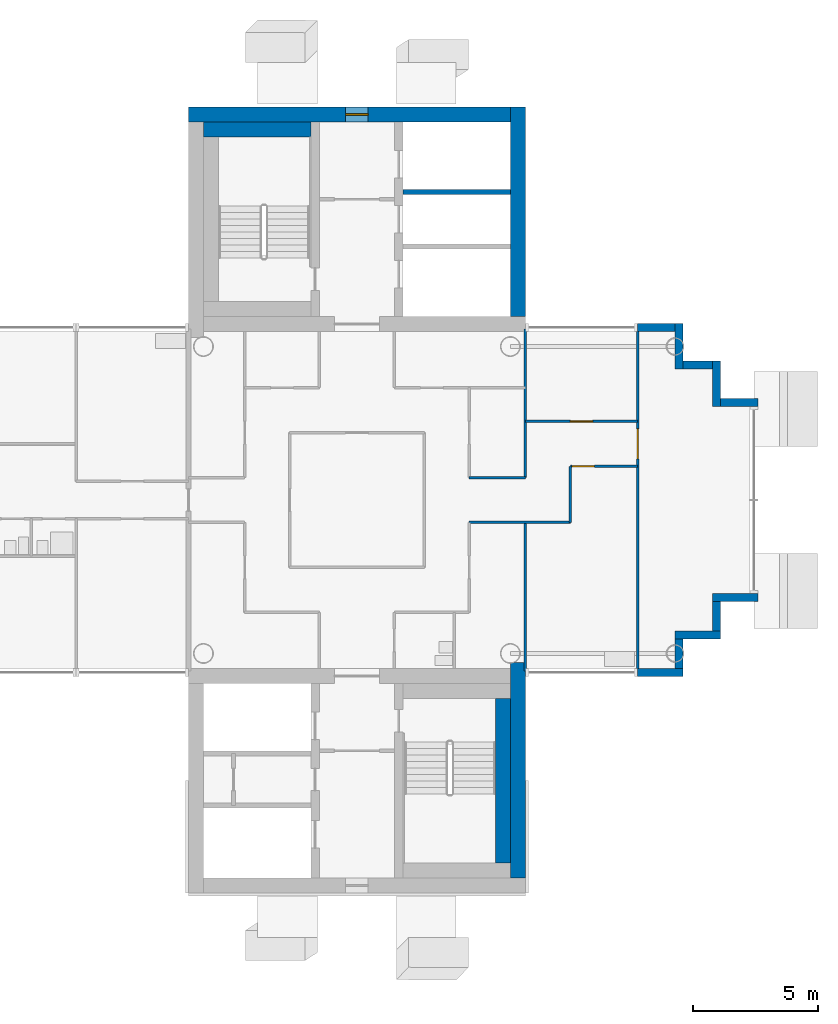
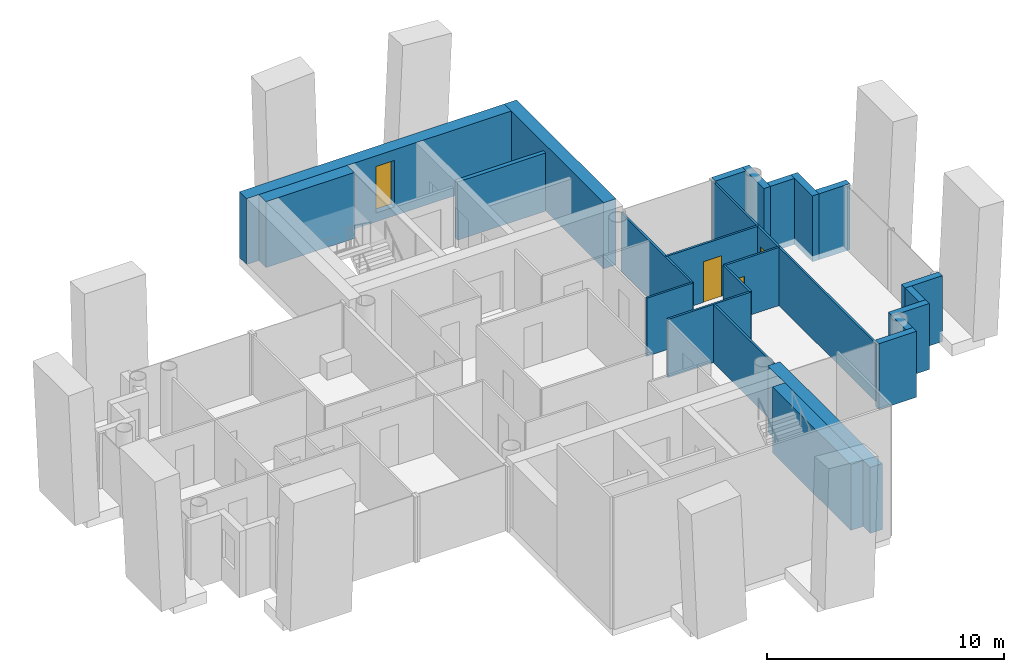
# One storey, part 11 of 18: 24 walls, 3 doors, 1 window, 4 openings.
"""IFC4 building model written with IfcOpenShell, lengths in metres."""

from ifc_helpers import new_model, si_unit, direction, frame, frame_2d, origin, place, context, subcontext, project, spatial, rectangle, extrude, material, layer, layer_set, type_object, element, fill, save


model = new_model("IFC4")

# Units and contexts
model_context = context("Model", 3, precision=1e-05, world=origin(), true_north=direction((0.0, 1.0)))
body_context = subcontext(model_context, "Body", "Model", "MODEL_VIEW")
ifc_project = project(units=[si_unit("LENGTHUNIT", "METRE"), si_unit("AREAUNIT", "SQUARE_METRE"), si_unit("VOLUMEUNIT", "CUBIC_METRE"), si_unit("PLANEANGLEUNIT", "RADIAN"), si_unit("MASSUNIT", "GRAM", prefix="KILO")], contexts=[model_context])

# Site, building, storey
site_placement = place(None, origin())
site = spatial("IfcSite", under=ifc_project, at=site_placement, CompositionType="ELEMENT")
building_placement = place(site_placement, origin())
building = spatial("IfcBuilding", under=site, at=building_placement, Name="Ipe Terrace Towers", CompositionType="ELEMENT")
storey_placement = place(building_placement, frame((0.0, 0.0, 223.199951171875)))
storey = spatial("IfcBuildingStorey", under=building, at=storey_placement, Name="L62", CompositionType="ELEMENT", Elevation=223.199951171875)

# Walls
ifc_material_1 = material(Name="Concrete C40/50 with buff precast cladding", Category="concrete")
ifc_layer_1 = layer(ifc_material_1, 0.320068359375)
ifc_layer_set_1 = layer_set([ifc_layer_1], Name="BUFF CLADDING WALL 320")
wall_type_1 = type_object("IfcWallType", Name="BUFF CLADDING WALL 320", PredefinedType="STANDARD", material=ifc_layer_set_1)
wall_1_placement = place(storey_placement, frame((47.25, -6.909912109375, -0.300048828125), z_axis=(0.0, 0.0, 1.0), x_axis=(1.0, 0.0, 0.0)))
element("IfcWall", 1, at=wall_1_placement, inside=storey, type_object=wall_type_1, Name="T2-W-L62-03a wall", PredefinedType="STANDARD", context=body_context, shape_type="SweptSolid", body=[
    extrude(rectangle(XDim=1.820068359375, YDim=0.320068359375, at=frame_2d((0.91015625, 0.0))), origin(), (0.0, 0.0, 1.0), 3.400146484375),
])
wall_2_placement = place(storey_placement, frame((48.909912109375, -6.75, -0.300048828125), z_axis=(0.0, 0.0, 1.0), x_axis=(0.0, 1.0, 0.0)))
element("IfcWall", 2, at=wall_2_placement, inside=storey, type_object=wall_type_1, Name="T2-W-L62-04a wall", PredefinedType="STANDARD", context=body_context, shape_type="SweptSolid", body=[
    extrude(rectangle(XDim=1.179931640625, YDim=0.320068359375, at=frame_2d((0.58984375, 0.0))), origin(), (0.0, 0.0, 1.0), 3.400146484375),
])
wall_3_placement = place(storey_placement, frame((48.75, -5.409912109375, -0.300048828125), z_axis=(0.0, 0.0, 1.0), x_axis=(1.0, 0.0, 0.0)))
element("IfcWall", 3, at=wall_3_placement, inside=storey, type_object=wall_type_1, Name="T2-W-L62-05a wall", PredefinedType="STANDARD", context=body_context, shape_type="SweptSolid", body=[
    extrude(rectangle(XDim=1.820068359375, YDim=0.320068359375, at=frame_2d((0.91015625, 0.0))), origin(), (0.0, 0.0, 1.0), 3.400146484375),
])
wall_4_placement = place(storey_placement, frame((50.409912109375, -5.25, -0.300048828125), z_axis=(0.0, 0.0, 1.0), x_axis=(0.0, 1.0, 0.0)))
element("IfcWall", 4, at=wall_4_placement, inside=storey, type_object=wall_type_1, Name="T2-W-L62-06a wall", PredefinedType="STANDARD", context=body_context, shape_type="SweptSolid", body=[
    extrude(rectangle(XDim=1.179931640625, YDim=0.320068359375, at=frame_2d((0.58984375, 0.0))), origin(), (0.0, 0.0, 1.0), 3.400146484375),
])
wall_5_placement = place(storey_placement, frame((50.25, -3.909912109375, -0.300048828125), z_axis=(0.0, 0.0, 1.0), x_axis=(1.0, 0.0, 0.0)))
element("IfcWall", 5, at=wall_5_placement, inside=storey, type_object=wall_type_1, Name="T2-W-L62-07a wall", PredefinedType="STANDARD", context=body_context, shape_type="SweptSolid", body=[
    extrude(rectangle(XDim=1.820068359375, YDim=0.320068359375, at=frame_2d((0.91015625, 0.0))), origin(), (0.0, 0.0, 1.0), 3.400146484375),
])
wall_6_placement = place(storey_placement, frame((52.070068359375, 3.909912109375, -0.300048828125), z_axis=(0.0, 0.0, 1.0), x_axis=(-1.0, 0.0, 0.0)))
element("IfcWall", 6, at=wall_6_placement, inside=storey, type_object=wall_type_1, Name="T2-W-L62-09a wall", PredefinedType="STANDARD", context=body_context, shape_type="SweptSolid", body=[
    extrude(rectangle(XDim=1.5, YDim=0.320068359375, at=frame_2d((0.75, 0.0))), origin(), (0.0, 0.0, 1.0), 3.400146484375),
])
wall_7_placement = place(storey_placement, frame((50.409912109375, 3.75, -0.300048828125), z_axis=(0.0, 0.0, 1.0), x_axis=(0.0, 1.0, 0.0)))
element("IfcWall", 7, at=wall_7_placement, inside=storey, type_object=wall_type_1, Name="T2-W-L62-10a wall", PredefinedType="STANDARD", context=body_context, shape_type="SweptSolid", body=[
    extrude(rectangle(XDim=1.820068359375, YDim=0.320068359375, at=frame_2d((0.91015625, 0.0))), origin(), (0.0, 0.0, 1.0), 3.400146484375),
])
wall_8_placement = place(storey_placement, frame((50.25, 5.409912109375, -0.300048828125), z_axis=(0.0, 0.0, 1.0), x_axis=(-1.0, 0.0, 0.0)))
element("IfcWall", 8, at=wall_8_placement, inside=storey, type_object=wall_type_1, Name="T2-W-L62-11a wall", PredefinedType="STANDARD", context=body_context, shape_type="SweptSolid", body=[
    extrude(rectangle(XDim=1.179931640625, YDim=0.320068359375, at=frame_2d((0.58984375, 0.0))), origin(), (0.0, 0.0, 1.0), 3.400146484375),
])
wall_9_placement = place(storey_placement, frame((48.909912109375, 5.25, -0.300048828125), z_axis=(0.0, 0.0, 1.0), x_axis=(0.0, 1.0, 0.0)))
element("IfcWall", 9, at=wall_9_placement, inside=storey, type_object=wall_type_1, Name="T2-W-L62-12a wall", PredefinedType="STANDARD", context=body_context, shape_type="SweptSolid", body=[
    extrude(rectangle(XDim=1.820068359375, YDim=0.320068359375, at=frame_2d((0.91015625, 0.0))), origin(), (0.0, 0.0, 1.0), 3.400146484375),
])
wall_10_placement = place(storey_placement, frame((48.75, 6.909912109375, -0.300048828125), z_axis=(0.0, 0.0, 1.0), x_axis=(-1.0, 0.0, 0.0)))
element("IfcWall", 10, at=wall_10_placement, inside=storey, type_object=wall_type_1, Name="T2-W-L62-13a wall", PredefinedType="STANDARD", context=body_context, shape_type="SweptSolid", body=[
    extrude(rectangle(XDim=1.5, YDim=0.320068359375, at=frame_2d((0.75, 0.0))), origin(), (0.0, 0.0, 1.0), 3.400146484375),
])
ifc_material_2 = material(Name="Gypsum board partition", Category="plasterboard")
ifc_layer_2 = layer(ifc_material_2, 0.10009765625)
ifc_layer_set_2 = layer_set([ifc_layer_2], Name="Gypsum board partition 100 mm")
wall_type_2 = type_object("IfcWallType", Name="Gypsum board partition 100 mm", PredefinedType="PARTITIONING", material=ifc_layer_set_2)
wall_11_placement = place(storey_placement, frame((44.550048828125, -0.89990234375, 0.0), z_axis=(0.0, 0.0, 1.0), x_axis=(-1.0, 0.0, 0.0)))
element("IfcWall", 11, at=wall_11_placement, inside=storey, type_object=wall_type_2, Name="Gypsum board partition T2 L62 W05", PredefinedType="PARTITIONING", context=body_context, shape_type="SweptSolid", body=[
    extrude(rectangle(XDim=4.050048828125, YDim=0.10009765625, at=frame_2d((2.02490234375, 0.0))), origin(), (0.0, 0.0, 1.0), 3.0),
])
wall_12_placement = place(storey_placement, frame((42.75, 0.89990234375, 0.0), z_axis=(0.0, 0.0, 1.0), x_axis=(-1.0, 0.0, 0.0)))
element("IfcWall", 12, at=wall_12_placement, inside=storey, type_object=wall_type_2, Name="Gypsum board partition T2 L62 W09", PredefinedType="PARTITIONING", context=body_context, shape_type="SweptSolid", body=[
    extrude(rectangle(XDim=2.25, YDim=0.10009765625, at=frame_2d((1.125, 0.0))), origin(), (0.0, 0.0, 1.0), 3.0),
])

# Wall, opening, door
wall_13_placement = place(storey_placement, frame((47.25, 1.35009765625, 0.0), z_axis=(0.0, 0.0, 1.0), x_axis=(-1.0, 0.0, 0.0)))
wall_13 = element("IfcWall", 13, at=wall_13_placement, inside=storey, type_object=wall_type_2, Name="Gypsum board partition T2 L62 W11", PredefinedType="PARTITIONING", context=body_context, shape_type="SweptSolid", body=[
    extrude(rectangle(XDim=2.699951171875, YDim=0.10009765625, at=frame_2d((1.35009765625, 0.0))), origin(), (0.0, 0.0, 1.0), 3.0),
])
opening_1_placement = place(wall_13_placement, frame((1.72998046875, 0.0, 0.0)))
opening_1 = element("IfcOpeningElement", 14, at=opening_1_placement, cuts=wall_13, Name="Opening T2-Z4F-21", PredefinedType="OPENING", context=body_context, shape_type="SweptSolid", body=[
    extrude(rectangle(XDim=0.89990234375, YDim=2.10009765625, at=frame_2d((0.449951171875, 1.050048828125))), frame((0.0, 0.06005859375, 0.0), z_axis=(0.0, -1.0, 0.0), x_axis=(1.0, 0.0, 0.0)), (0.0, 0.0, 1.0), 0.1201171875),
])
ifc_material_3 = material(Name="Timber door leaf", Category="wood")
door_type_1 = type_object("IfcDoorType", Name="Lounge door 900 x 2100", OperationType="NOTDEFINED", PredefinedType="DOOR", material=ifc_material_3)
door_1_placement = place(opening_1_placement, origin())
door_1 = element("IfcDoor", 15, at=door_1_placement, inside=storey, type_object=door_type_1, Name="Lounge door T2-Z4F-21", OperationType="SINGLE_SWING_LEFT", OverallHeight=2.10009765625, OverallWidth=0.89990234375, PredefinedType="DOOR", context=body_context, shape_type="SweptSolid", body=[
    extrude(rectangle(XDim=0.89990234375, YDim=2.10009765625, at=frame_2d((0.449951171875, 1.050048828125))), frame((0.0, 0.02490234375, 0.0), z_axis=(0.0, -1.0, 0.0), x_axis=(1.0, 0.0, 0.0)), (0.0, 0.0, 1.0), 0.050048828125),
])
fill(opening_1, door_1)

wall_14_placement = place(storey_placement, frame((47.25, 3.14990234375, 0.0), z_axis=(0.0, 0.0, 1.0), x_axis=(-1.0, 0.0, 0.0)))
wall_14 = element("IfcWall", 16, at=wall_14_placement, inside=storey, type_object=wall_type_2, Name="Gypsum board partition T2 L62 W14", PredefinedType="PARTITIONING", context=body_context, shape_type="SweptSolid", body=[
    extrude(rectangle(XDim=4.5, YDim=0.10009765625, at=frame_2d((2.25, 0.0))), origin(), (0.0, 0.0, 1.0), 3.0),
])
opening_2_placement = place(wall_14_placement, frame((1.800048828125, 0.0, 0.0)))
opening_2 = element("IfcOpeningElement", 17, at=opening_2_placement, cuts=wall_14, Name="Opening T2-Z4F-20", PredefinedType="OPENING", context=body_context, shape_type="SweptSolid", body=[
    extrude(rectangle(XDim=0.89990234375, YDim=2.10009765625, at=frame_2d((0.449951171875, 1.050048828125))), frame((0.0, 0.06005859375, 0.0), z_axis=(0.0, -1.0, 0.0), x_axis=(1.0, 0.0, 0.0)), (0.0, 0.0, 1.0), 0.1201171875),
])
door_2_placement = place(opening_2_placement, origin())
door_2 = element("IfcDoor", 18, at=door_2_placement, inside=storey, type_object=door_type_1, Name="Lounge door T2-Z4F-20", OperationType="SINGLE_SWING_RIGHT", OverallHeight=2.10009765625, OverallWidth=0.89990234375, PredefinedType="DOOR", context=body_context, shape_type="SweptSolid", body=[
    extrude(rectangle(XDim=0.89990234375, YDim=2.10009765625, at=frame_2d((0.449951171875, 1.050048828125))), frame((0.0, 0.02490234375, 0.0), z_axis=(0.0, -1.0, 0.0), x_axis=(1.0, 0.0, 0.0)), (0.0, 0.0, 1.0), 0.050048828125),
])
fill(opening_2, door_2)

wall_15_placement = place(storey_placement, frame((47.25, -6.85009765625, 0.0), z_axis=(0.0, 0.0, 1.0), x_axis=(0.0, 1.0, 0.0)))
wall_15 = element("IfcWall", 19, at=wall_15_placement, inside=storey, type_object=wall_type_2, Name="Gypsum board partition T2 L62 W17", PredefinedType="PARTITIONING", context=body_context, shape_type="SweptSolid", body=[
    extrude(rectangle(XDim=13.7001953125, YDim=0.10009765625, at=frame_2d((6.85009765625, 0.0))), origin(), (0.0, 0.0, 1.0), 3.0),
])
opening_3_placement = place(wall_15_placement, frame((8.5, 0.0, 0.0)))
opening_3 = element("IfcOpeningElement", 20, at=opening_3_placement, cuts=wall_15, Name="Opening T2-Z4F-22", PredefinedType="OPENING", context=body_context, shape_type="SweptSolid", body=[
    extrude(rectangle(XDim=1.199951171875, YDim=2.10009765625, at=frame_2d((0.60009765625, 1.050048828125))), frame((0.0, 0.06005859375, 0.0), z_axis=(0.0, -1.0, 0.0), x_axis=(1.0, 0.0, 0.0)), (0.0, 0.0, 1.0), 0.1201171875),
])
ifc_material_4 = material(Name="Timber door leaf", Category="wood")
door_type_2 = type_object("IfcDoorType", Name="Lounge door 1200 x 2100", OperationType="NOTDEFINED", PredefinedType="DOOR", material=ifc_material_4)
door_3_placement = place(opening_3_placement, origin())
door_3 = element("IfcDoor", 21, at=door_3_placement, inside=storey, type_object=door_type_2, Name="Lounge door T2-Z4F-22", OperationType="SINGLE_SWING_RIGHT", OverallHeight=2.10009765625, OverallWidth=1.199951171875, PredefinedType="DOOR", context=body_context, shape_type="SweptSolid", body=[
    extrude(rectangle(XDim=1.199951171875, YDim=2.10009765625, at=frame_2d((0.60009765625, 1.050048828125))), frame((0.0, 0.02490234375, 0.0), z_axis=(0.0, -1.0, 0.0), x_axis=(1.0, 0.0, 0.0)), (0.0, 0.0, 1.0), 0.050048828125),
])
fill(opening_3, door_3)

# Walls
wall_16_placement = place(storey_placement, frame((44.550048828125, -0.89990234375, 0.0), z_axis=(0.0, 0.0, 1.0), x_axis=(0.0, 1.0, 0.0)))
element("IfcWall", 22, at=wall_16_placement, inside=storey, type_object=wall_type_2, Name="Gypsum board partition T2 L62 W18", PredefinedType="PARTITIONING", context=body_context, shape_type="SweptSolid", body=[
    extrude(rectangle(XDim=2.25, YDim=0.10009765625, at=frame_2d((1.125, 0.0))), origin(), (0.0, 0.0, 1.0), 3.0),
])
for number, where, z_axis, x_axis, name in (
    (23, (42.75, -6.85009765625, 0.0), (0.0, 0.0, 1.0), (0.0, 1.0, 0.0), "Gypsum board partition T2 L62 W19"),
    (24, (42.75, 0.89990234375, 0.0), (0.0, 0.0, 1.0), (0.0, 1.0, 0.0), "Gypsum board partition T2 L62 W20"),
):
    element("IfcWall", number, at=place(storey_placement, frame(where, z_axis=z_axis, x_axis=x_axis)), inside=storey, type_object=wall_type_2, Name=name, PredefinedType="PARTITIONING", context=body_context, shape_type="SweptSolid", body=[
        extrude(rectangle(XDim=5.9501953125, YDim=0.10009765625, at=frame_2d((2.97509765625, 0.0))), origin(), (0.0, 0.0, 1.0), 3.0),
    ])
ifc_material_5 = material(Name="Gypsum board party wall", Category="plasterboard")
ifc_layer_3 = layer(ifc_material_5, 0.199951171875)
ifc_layer_set_3 = layer_set([ifc_layer_3], Name="Gypsum board party wall 200 mm")
wall_type_3 = type_object("IfcWallType", Name="Gypsum board party wall 200 mm", PredefinedType="SOLIDWALL", material=ifc_layer_set_3)
wall_17_placement = place(storey_placement, frame((42.14990234375, 12.35009765625, 0.0), z_axis=(0.0, 0.0, 1.0), x_axis=(-1.0, 0.0, 0.0)))
element("IfcWall", 25, at=wall_17_placement, inside=storey, type_object=wall_type_3, Name="Gypsum board party wall T2 L62 t2c1-shaft-div2", PredefinedType="SOLIDWALL", context=body_context, shape_type="SweptSolid", body=[
    extrude(rectangle(XDim=4.2998046875, YDim=0.199951171875, at=frame_2d((2.14990234375, 0.0))), origin(), (0.0, 0.0, 1.0), 3.0),
])
ifc_material_6 = material(Name="Concrete C40/50", Category="concrete")
ifc_layer_4 = layer(ifc_material_6, 0.60009765625)
ifc_layer_set_4 = layer_set([ifc_layer_4], Name="RW600 CORE INFILL WALL 600 C40-50")
wall_type_4 = type_object("IfcWallType", Name="RW600 CORE INFILL WALL 600 C40-50", PredefinedType="SHEAR", material=ifc_layer_set_4)
wall_18_placement = place(storey_placement, frame((34.14990234375, 14.85009765625, 0.0), z_axis=(0.0, 0.0, 1.0), x_axis=(-1.0, 0.0, 0.0)))
element("IfcWall", 26, at=wall_18_placement, inside=storey, type_object=wall_type_4, Name="Core infill wall T2-C1-far", PredefinedType="SHEAR", context=body_context, shape_type="SweptSolid", body=[
    extrude(rectangle(XDim=4.2998046875, YDim=0.60009765625, at=frame_2d((2.14990234375, 0.0))), origin(), (0.0, 0.0, 1.0), 3.400146484375),
])
wall_19_placement = place(storey_placement, frame((41.85009765625, -7.949951171875, 0.0), z_axis=(0.0, 0.0, 1.0), x_axis=(0.0, -1.0, 0.0)))
element("IfcWall", 27, at=wall_19_placement, inside=storey, type_object=wall_type_4, Name="Core infill wall T2-C2-back", PredefinedType="SHEAR", context=body_context, shape_type="SweptSolid", body=[
    extrude(rectangle(XDim=6.60009765625, YDim=0.60009765625, at=frame_2d((3.300048828125, 0.0))), origin(), (0.0, 0.0, 1.0), 3.400146484375),
])
ifc_material_7 = material(Name="Concrete C40/50", Category="concrete")
ifc_layer_5 = layer(ifc_material_7, 0.60009765625)
ifc_layer_set_5 = layer_set([ifc_layer_5], Name="RW600 CORE WALL 600 C40-50")
wall_type_5 = type_object("IfcWallType", Name="RW600 CORE WALL 600 C40-50", PredefinedType="SHEAR", material=ifc_layer_set_5)
wall_20_placement = place(storey_placement, frame((42.449951171875, 7.35009765625, 0.0), z_axis=(0.0, 0.0, 1.0), x_axis=(0.0, 1.0, 0.0)))
element("IfcWall", 28, at=wall_20_placement, inside=storey, type_object=wall_type_5, Name="Core wall T2-C1-Z4-W02", PredefinedType="SHEAR", context=body_context, shape_type="SweptSolid", body=[
    extrude(rectangle(XDim=8.39990234375, YDim=0.60009765625, at=frame_2d((4.199951171875, 0.0))), origin(), (0.0, 0.0, 1.0), 3.400146484375),
])

# Wall, opening, window
wall_21_placement = place(storey_placement, frame((42.14990234375, 15.449951171875, 0.0), z_axis=(0.0, 0.0, 1.0), x_axis=(-1.0, 0.0, 0.0)))
wall_21 = element("IfcWall", 29, at=wall_21_placement, inside=storey, type_object=wall_type_5, Name="Core wall T2-C1-Z4-W03", PredefinedType="SHEAR", context=body_context, shape_type="SweptSolid", body=[
    extrude(rectangle(XDim=12.89990234375, YDim=0.60009765625, at=frame_2d((6.449951171875, 0.0))), origin(), (0.0, 0.0, 1.0), 3.400146484375),
])
opening_4_placement = place(wall_21_placement, frame((5.699951171875, 0.0, 0.449951171875)))
opening_4 = element("IfcOpeningElement", 30, at=opening_4_placement, cuts=wall_21, Name="Opening T2-C1-W-01-L62", PredefinedType="OPENING", context=body_context, shape_type="SweptSolid", body=[
    extrude(rectangle(XDim=0.89990234375, YDim=2.39990234375, at=frame_2d((0.449951171875, 1.199951171875))), frame((0.0, 0.31005859375, 0.0), z_axis=(0.0, -1.0, 0.0), x_axis=(1.0, 0.0, 0.0)), (0.0, 0.0, 1.0), 0.6201171875),
])
ifc_material_8 = material(Name="Fire-resistant glazing EI 60", Category="glass")
window_type = type_object("IfcWindowType", Name="CORRIDOR END SLOT WINDOW 900 x 2400 EI 60", PartitioningType="SINGLE_PANEL", PredefinedType="WINDOW", material=ifc_material_8)
window_placement = place(opening_4_placement, origin())
window = element("IfcWindow", 31, at=window_placement, inside=storey, type_object=window_type, Name="W-01 window", OverallHeight=2.39990234375, OverallWidth=0.89990234375, PartitioningType="SINGLE_PANEL", PredefinedType="WINDOW", context=body_context, shape_type="SweptSolid", body=[
    extrude(rectangle(XDim=0.89990234375, YDim=2.39990234375, at=frame_2d((0.449951171875, 1.199951171875))), frame((0.0, 0.030029296875, 0.0), z_axis=(0.0, -1.0, 0.0), x_axis=(1.0, 0.0, 0.0)), (0.0, 0.0, 1.0), 0.06005859375),
])
fill(opening_4, window)

# Wall
wall_22_placement = place(storey_placement, frame((42.449951171875, -15.14990234375, 0.0), z_axis=(0.0, 0.0, 1.0), x_axis=(0.0, 1.0, 0.0)))
element("IfcWall", 32, at=wall_22_placement, inside=storey, type_object=wall_type_5, Name="Core wall T2-C2-Z4-W02", PredefinedType="SHEAR", context=body_context, shape_type="SweptSolid", body=[
    extrude(rectangle(XDim=8.64794921875, YDim=0.60009765625, at=frame_2d((4.323974609375, 0.0))), origin(), (0.0, 0.0, 1.0), 3.400146484375),
])

save(model, "model.ifc")
